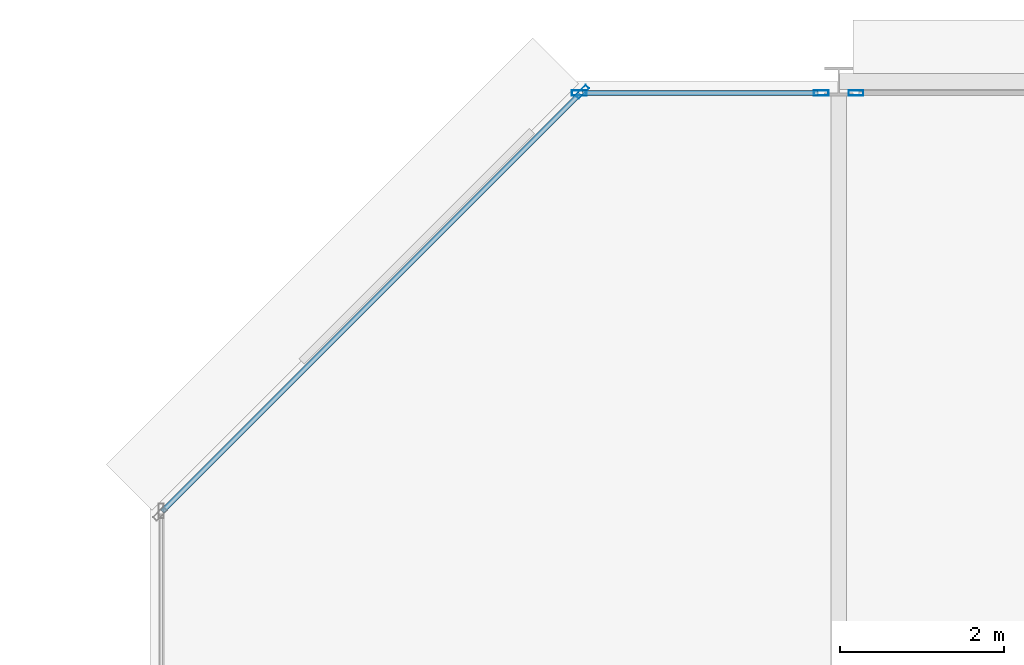
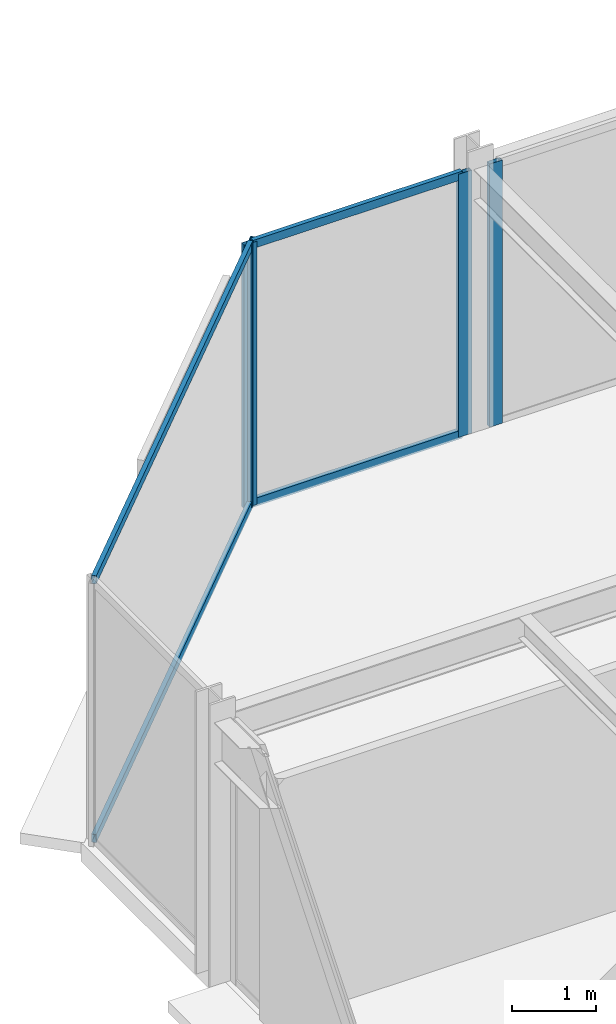
# One storey, part 20 of 29: 8 members, 3 elements without a shape of their own.
"""IFC4 building model written with IfcOpenShell, lengths in metres."""

from ifc_helpers import new_model, si_unit, direction, frame, origin, origin_2d, place, context, subcontext, project, spatial, hollow_rectangle, extrude, material, layer, layer_set, material_profile, profile_set, type_object, element, aggregate, save


model = new_model("IFC4")

# Units and contexts
model_context = context("Model", 3, precision=1e-05, world=origin(), true_north=direction((0.0, 1.0)))
body_context = subcontext(model_context, "Body", "Model", "MODEL_VIEW")
ifc_project = project(units=[si_unit("LENGTHUNIT", "METRE"), si_unit("AREAUNIT", "SQUARE_METRE"), si_unit("VOLUMEUNIT", "CUBIC_METRE"), si_unit("PLANEANGLEUNIT", "RADIAN"), si_unit("MASSUNIT", "GRAM", prefix="KILO")], contexts=[model_context])

# Site, building, storey
site_placement = place(None, origin())
site = spatial("IfcSite", under=ifc_project, at=site_placement, CompositionType="ELEMENT")
building_placement = place(site_placement, origin())
building = spatial("IfcBuilding", under=site, at=building_placement, Name="Nerrivon Quay Data Exchange", CompositionType="ELEMENT")
storey_placement = place(building_placement, frame((0.0, 0.0, 191.89990234375)))
storey = spatial("IfcBuildingStorey", under=building, at=storey_placement, Name="L45", CompositionType="ELEMENT", Elevation=191.89990234375)

# Curtain wall, member
ifc_material = material(Name="Anodised aluminium 6063-T6", Category="aluminium")
ifc_layer = layer(ifc_material, 0.195068359375)
ifc_layer_set = layer_set([ifc_layer], Name="Anodised aluminium 6063-T6")
curtain_wall_type = type_object("IfcCurtainWallType", Name="CW-SYS-06", PredefinedType="NOTDEFINED", material=ifc_layer_set)
curtain_wall_1_placement = place(storey_placement, origin())
curtain_wall_1 = element("IfcCurtainWall", 1, at=curtain_wall_1_placement, inside=storey, type_object=curtain_wall_type, Name="L45 Unitised Curtain Wall 7", PredefinedType="NOTDEFINED")
ifc_material_profile_1 = material_profile(ifc_material, hollow_rectangle(XDim=0.06494140625, YDim=0.179931640625, WallThickness=0.00341796875, at=origin_2d()), Name="ALU-MULL-180x65")
ifc_profile_set_1 = profile_set([ifc_material_profile_1], Name="Anodised aluminium 6063-T6")
member_type_1 = type_object("IfcMemberType", Name="CWM-180x65", PredefinedType="MULLION", material=ifc_profile_set_1)
member_1_placement = place(storey_placement, frame((5.2724609375, 50.2744140625, 0.0), z_axis=(0.0, 0.0, 1.0), x_axis=(-0.707106781187, 0.707106781187, 0.0)))
member_1 = element("IfcMember", 2, at=member_1_placement, type_object=member_type_1, Name="CW06 mullion 2", PredefinedType="MULLION", context=body_context, shape_type="SweptSolid", body=[
    extrude(hollow_rectangle(XDim=0.06494140625, YDim=0.179931640625, WallThickness=0.00341796875, at=origin_2d()), origin(), (0.0, 0.0, 1.0), 3.8251953125),
])

# Curtain wall, members
curtain_wall_2_placement = place(storey_placement, origin())
curtain_wall_2 = element("IfcCurtainWall", 3, at=curtain_wall_2_placement, inside=storey, type_object=curtain_wall_type, Name="L45 Unitised Curtain Wall 8", PredefinedType="NOTDEFINED")
member_2_placement = place(storey_placement, frame((5.237548828125, 50.260009765625, 0.0), z_axis=(0.0, 0.0, 1.0), x_axis=(0.0, 1.0, 0.0)))
member_2 = element("IfcMember", 4, at=member_2_placement, type_object=member_type_1, Name="CW06 mullion 1", PredefinedType="MULLION", context=body_context, shape_type="SweptSolid", body=[
    extrude(hollow_rectangle(XDim=0.06494140625, YDim=0.179931640625, WallThickness=0.00341796875, at=origin_2d()), origin(), (0.0, 0.0, 1.0), 3.8251953125),
])
member_3_placement = place(storey_placement, frame((8.1875, 50.260009765625, 0.0), z_axis=(0.0, 0.0, 1.0), x_axis=(0.0, 1.0, 0.0)))
member_3 = element("IfcMember", 5, at=member_3_placement, type_object=member_type_1, Name="CW06 mullion 2", PredefinedType="MULLION", context=body_context, shape_type="SweptSolid", body=[
    extrude(hollow_rectangle(XDim=0.06494140625, YDim=0.179931640625, WallThickness=0.00341796875, at=origin_2d()), origin(), (0.0, 0.0, 1.0), 3.8251953125),
])

# Curtain wall, member
curtain_wall_3_placement = place(storey_placement, origin())
curtain_wall_3 = element("IfcCurtainWall", 6, at=curtain_wall_3_placement, inside=storey, type_object=curtain_wall_type, Name="L45 Unitised Curtain Wall 9", PredefinedType="NOTDEFINED")
member_4_placement = place(storey_placement, frame((8.612548828125, 50.260009765625, 0.0), z_axis=(0.0, 0.0, 1.0), x_axis=(0.0, 1.0, 0.0)))
member_4 = element("IfcMember", 7, at=member_4_placement, type_object=member_type_1, Name="CW06 mullion 1", PredefinedType="MULLION", context=body_context, shape_type="SweptSolid", body=[
    extrude(hollow_rectangle(XDim=0.06494140625, YDim=0.179931640625, WallThickness=0.00341796875, at=origin_2d()), origin(), (0.0, 0.0, 1.0), 3.8251953125),
])
aggregate(curtain_wall_3, [member_4])

# Member
ifc_material_profile_2 = material_profile(ifc_material, hollow_rectangle(XDim=0.06005859375, YDim=0.1201171875, WallThickness=0.003173828125, at=origin_2d()), Name="ALU-TRAN-120x60")
ifc_profile_set_2 = profile_set([ifc_material_profile_2], Name="Anodised aluminium 6063-T6")
member_type_2 = type_object("IfcMemberType", Name="CWT-120x60", PredefinedType="USERDEFINED", material=ifc_profile_set_2)
member_5_placement = place(storey_placement, frame((0.152099609375, 45.154052734375, 0.03271484375), z_axis=(0.707089835771, 0.707123726196, 0.0), x_axis=(-0.707123726196, 0.707089835771, 0.0)))
member_5 = element("IfcMember", 8, at=member_5_placement, type_object=member_type_2, Name="CW06 transom 1.1", ObjectType="TRANSOM", PredefinedType="USERDEFINED", context=body_context, shape_type="SweptSolid", body=[
    extrude(hollow_rectangle(XDim=0.06005859375, YDim=0.1201171875, WallThickness=0.003173828125, at=origin_2d()), origin(), (0.0, 0.0, 1.0), 7.203857421875),
])

member_6_placement = place(storey_placement, frame((0.152099609375, 45.154052734375, 3.79248046875), z_axis=(0.707089835771, 0.707123726196, 0.0), x_axis=(-0.707123726196, 0.707089835771, 0.0)))
member_6 = element("IfcMember", 9, at=member_6_placement, type_object=member_type_2, Name="CW06 transom 1.2", ObjectType="TRANSOM", PredefinedType="USERDEFINED", context=body_context, shape_type="SweptSolid", body=[
    extrude(hollow_rectangle(XDim=0.06005859375, YDim=0.1201171875, WallThickness=0.003173828125, at=origin_2d()), origin(), (0.0, 0.0, 1.0), 7.203857421875),
])

aggregate(curtain_wall_1, [member_1, member_5, member_6])

member_7_placement = place(storey_placement, frame((5.27490234375, 50.260009765625, 0.03271484375), z_axis=(1.0, 0.0, 0.0), x_axis=(0.0, 1.0, 0.0)))
member_7 = element("IfcMember", 10, at=member_7_placement, type_object=member_type_2, Name="CW06 transom 1.1", ObjectType="TRANSOM", PredefinedType="USERDEFINED", context=body_context, shape_type="SweptSolid", body=[
    extrude(hollow_rectangle(XDim=0.06005859375, YDim=0.1201171875, WallThickness=0.003173828125, at=origin_2d()), origin(), (0.0, 0.0, 1.0), 2.875),
])

member_8_placement = place(storey_placement, frame((5.27490234375, 50.260009765625, 3.79248046875), z_axis=(1.0, 0.0, 0.0), x_axis=(0.0, 1.0, 0.0)))
member_8 = element("IfcMember", 11, at=member_8_placement, type_object=member_type_2, Name="CW06 transom 1.2", ObjectType="TRANSOM", PredefinedType="USERDEFINED", context=body_context, shape_type="SweptSolid", body=[
    extrude(hollow_rectangle(XDim=0.06005859375, YDim=0.1201171875, WallThickness=0.003173828125, at=origin_2d()), origin(), (0.0, 0.0, 1.0), 2.875),
])

aggregate(curtain_wall_2, [member_2, member_3, member_7, member_8])

save(model, "model.ifc")
